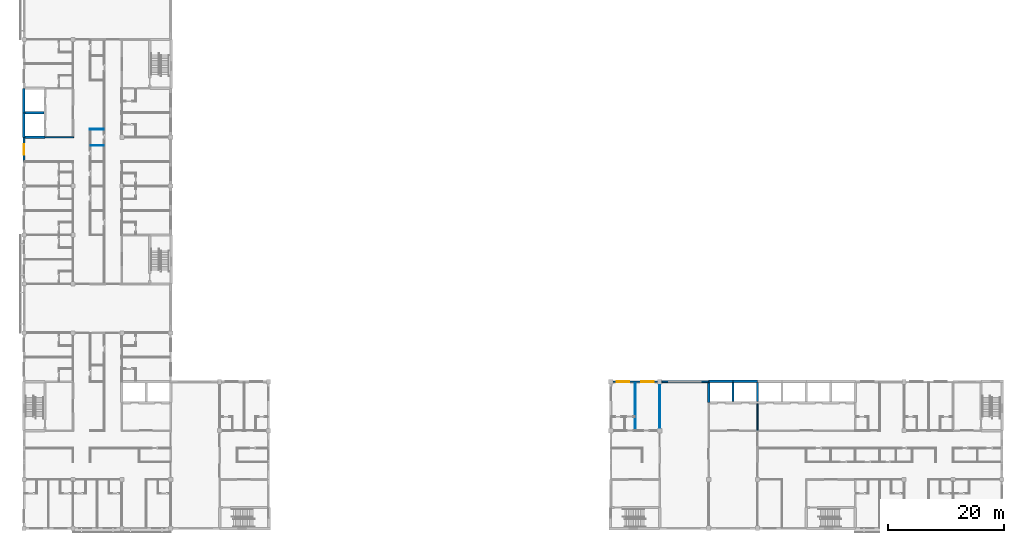
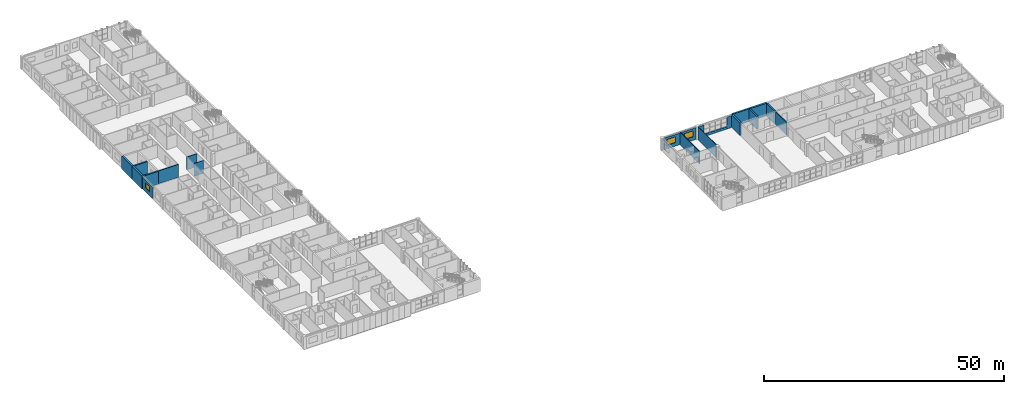
# One storey, part 30 of 45: 21 walls, 3 windows, 3 openings.
"""IFC4 building model written with IfcOpenShell, lengths in metres."""

from ifc_helpers import new_model, si_unit, direction, frame, frame_2d, origin, place, context, subcontext, project, spatial, rectangle, extrude, material, layer, layer_set, type_object, element, fill, save


model = new_model("IFC4")

# Units and contexts
model_context = context("Model", 3, precision=1e-05, world=origin(), true_north=direction((0.0, 1.0)))
body_context = subcontext(model_context, "Body", "Model", "MODEL_VIEW")
ifc_project = project(units=[si_unit("LENGTHUNIT", "METRE"), si_unit("AREAUNIT", "SQUARE_METRE"), si_unit("VOLUMEUNIT", "CUBIC_METRE"), si_unit("PLANEANGLEUNIT", "RADIAN"), si_unit("MASSUNIT", "GRAM", prefix="KILO")], contexts=[model_context])

# Site, building, storey
site_placement = place(None, origin())
site = spatial("IfcSite", under=ifc_project, at=site_placement, CompositionType="ELEMENT")
building_placement = place(site_placement, origin())
building = spatial("IfcBuilding", under=site, at=building_placement, Name="Yavir Park General Hospital", CompositionType="ELEMENT")
storey_placement = place(building_placement, frame((0.0, 0.0, 22.5)))
storey = spatial("IfcBuildingStorey", under=building, at=storey_placement, Name="L05", CompositionType="ELEMENT", Elevation=22.5)

# Walls
ifc_material_1 = material(Name="Double gypsum board fire partition on steel studs", Category="steel")
ifc_layer_1 = layer(ifc_material_1, 0.199951171875)
ifc_layer_set_1 = layer_set([ifc_layer_1], Name="Double gypsum board fire partition on steel studs")
wall_type_1 = type_object("IfcWallType", Name="Fire-rated partition 200, EI 60", PredefinedType="PARTITIONING", material=ifc_layer_set_1)
wall_1_placement = place(storey_placement, frame((3.60009765625, 67.199951171875, 0.0), z_axis=(0.0, 0.0, 1.0), x_axis=(1.0, 0.0, 0.0)))
element("IfcWall", 1, at=wall_1_placement, inside=storey, type_object=wall_type_1, Name="FP20 L05-094", PredefinedType="PARTITIONING", context=body_context, shape_type="SweptSolid", body=[
    extrude(rectangle(XDim=4.89990234375, YDim=0.199951171875, at=frame_2d((2.449951171875, 0.0))), origin(), (0.0, 0.0, 1.0), 3.260009765625),
])
wall_2_placement = place(storey_placement, frame((126.0, 16.89990234375, 0.0), z_axis=(0.0, 0.0, 1.0), x_axis=(0.0, 1.0, 0.0)))
element("IfcWall", 2, at=wall_2_placement, inside=storey, type_object=wall_type_1, Name="FP20 L05-235", PredefinedType="PARTITIONING", context=body_context, shape_type="SweptSolid", body=[
    extrude(rectangle(XDim=4.5, YDim=0.199951171875, at=frame_2d((2.25, 0.0))), origin(), (0.0, 0.0, 1.0), 3.260009765625),
])
ifc_material_2 = material(Name="Gypsum board partition on steel studs", Category="steel")
ifc_layer_2 = layer(ifc_material_2, 0.10009765625)
ifc_layer_set_2 = layer_set([ifc_layer_2], Name="Gypsum board partition on steel studs")
wall_type_2 = type_object("IfcWallType", Name="Gypsum board partition 100", PredefinedType="PARTITIONING", material=ifc_layer_set_2)
wall_3_placement = place(storey_placement, frame((11.47509765625, 65.800048828125, 0.0), z_axis=(0.0, 0.0, 1.0), x_axis=(1.0, 0.0, 0.0)))
element("IfcWall", 3, at=wall_3_placement, inside=storey, type_object=wall_type_2, Name="P10 L05-092", PredefinedType="PARTITIONING", context=body_context, shape_type="SweptSolid", body=[
    extrude(rectangle(XDim=2.25, YDim=0.10009765625, at=frame_2d((1.125, 0.0))), origin(), (0.0, 0.0, 1.0), 3.260009765625),
])
ifc_material_3 = material(Name="Gypsum board partition on steel studs", Category="steel")
ifc_layer_3 = layer(ifc_material_3, 0.14990234375)
ifc_layer_set_3 = layer_set([ifc_layer_3], Name="Gypsum board partition on steel studs")
wall_type_3 = type_object("IfcWallType", Name="Gypsum board partition 150", PredefinedType="PARTITIONING", material=ifc_layer_set_3)
wall_4_placement = place(storey_placement, frame((11.324951171875, 68.60009765625, 0.0), z_axis=(0.0, 0.0, 1.0), x_axis=(1.0, 0.0, 0.0)))
element("IfcWall", 4, at=wall_4_placement, inside=storey, type_object=wall_type_3, Name="P15 L05-096", PredefinedType="PARTITIONING", context=body_context, shape_type="SweptSolid", body=[
    extrude(rectangle(XDim=2.400146484375, YDim=0.14990234375, at=frame_2d((1.2001953125, 0.0))), origin(), (0.0, 0.0, 1.0), 3.260009765625),
])
wall_5_placement = place(storey_placement, frame((105.0, 16.875, 0.0), z_axis=(0.0, 0.0, 1.0), x_axis=(0.0, 1.0, 0.0)))
element("IfcWall", 5, at=wall_5_placement, inside=storey, type_object=wall_type_3, Name="P15 L05-224", PredefinedType="PARTITIONING", context=body_context, shape_type="SweptSolid", body=[
    extrude(rectangle(XDim=8.175048828125, YDim=0.14990234375, at=frame_2d((4.08740234375, 0.0))), origin(), (0.0, 0.0, 1.0), 3.260009765625),
])
wall_6_placement = place(storey_placement, frame((109.199951171875, 17.175048828125, 0.0), z_axis=(0.0, 0.0, 1.0), x_axis=(0.0, 1.0, 0.0)))
element("IfcWall", 6, at=wall_6_placement, inside=storey, type_object=wall_type_3, Name="P15 L05-228", PredefinedType="PARTITIONING", context=body_context, shape_type="SweptSolid", body=[
    extrude(rectangle(XDim=7.64990234375, YDim=0.14990234375, at=frame_2d((3.824951171875, 0.0))), origin(), (0.0, 0.0, 1.0), 3.260009765625),
])

# Wall, opening, window
ifc_material_4 = material(Name="Autoclaved aerated block, mineral wool and ochre mineral render")
ifc_layer_4 = layer(ifc_material_4, 0.300048828125)
ifc_layer_set_4 = layer_set([ifc_layer_4], Name="Autoclaved aerated block, mineral wool and ochre mineral render")
wall_type_4 = type_object("IfcWallType", Name="Ochre render ward wall 300, E 30", PredefinedType="SOLIDWALL", material=ifc_layer_set_4)
wall_7_placement = place(storey_placement, frame((101.175048828125, 25.199951171875, 0.0), z_axis=(0.0, 0.0, 1.0), x_axis=(1.0, 0.0, 0.0)))
wall_7 = element("IfcWall", 7, at=wall_7_placement, inside=storey, type_object=wall_type_4, Name="XW7 L05-037", PredefinedType="SOLIDWALL", context=body_context, shape_type="SweptSolid", body=[
    extrude(rectangle(XDim=3.824951171875, YDim=0.300048828125, at=frame_2d((1.91259765625, 0.0))), origin(), (0.0, 0.0, 1.0), 2.9599609375),
])
opening_1_placement = place(wall_7_placement, frame((0.675048828125, 0.0, 0.89990234375)))
opening_1 = element("IfcOpeningElement", 8, at=opening_1_placement, cuts=wall_7, Name="Opening WAR", PredefinedType="OPENING", context=body_context, shape_type="SweptSolid", body=[
    extrude(rectangle(XDim=2.10009765625, YDim=1.5, at=frame_2d((1.050048828125, 0.75))), frame((0.0, 0.159912109375, 0.0), z_axis=(0.0, -1.0, 0.0), x_axis=(1.0, 0.0, 0.0)), (0.0, 0.0, 1.0), 0.320068359375),
])
ifc_material_5 = material(Name="Aluminium frame, tilt-and-turn sash with opening restrictor, double glazed unit", Category="aluminium")
window_type_1 = type_object("IfcWindowType", Name="Ward window, restricted opening 2100 x 1500", PartitioningType="DOUBLE_PANEL_VERTICAL", PredefinedType="WINDOW", material=ifc_material_5)
window_1_placement = place(opening_1_placement, origin())
window_1 = element("IfcWindow", 9, at=window_1_placement, inside=storey, type_object=window_type_1, Name="WAR L05-014", OverallHeight=1.5, OverallWidth=2.10009765625, PartitioningType="DOUBLE_PANEL_VERTICAL", PredefinedType="WINDOW", context=body_context, shape_type="SweptSolid", body=[
    extrude(rectangle(XDim=2.10009765625, YDim=1.5, at=frame_2d((1.050048828125, 0.75))), frame((0.0, 0.050048828125, 0.0), z_axis=(0.0, -1.0, 0.0), x_axis=(1.0, 0.0, 0.0)), (0.0, 0.0, 1.0), 0.10009765625),
])
fill(opening_1, window_1)

wall_8_placement = place(storey_placement, frame((105.0, 25.199951171875, 0.0), z_axis=(0.0, 0.0, 1.0), x_axis=(1.0, 0.0, 0.0)))
wall_8 = element("IfcWall", 10, at=wall_8_placement, inside=storey, type_object=wall_type_4, Name="XW7 L05-038", PredefinedType="SOLIDWALL", context=body_context, shape_type="SweptSolid", body=[
    extrude(rectangle(XDim=3.824951171875, YDim=0.300048828125, at=frame_2d((1.91259765625, 0.0))), origin(), (0.0, 0.0, 1.0), 2.9599609375),
])
opening_2_placement = place(wall_8_placement, frame((1.050048828125, 0.0, 0.89990234375)))
opening_2 = element("IfcOpeningElement", 11, at=opening_2_placement, cuts=wall_8, Name="Opening WAR", PredefinedType="OPENING", context=body_context, shape_type="SweptSolid", body=[
    extrude(rectangle(XDim=2.10009765625, YDim=1.5, at=frame_2d((1.050048828125, 0.75))), frame((0.0, 0.159912109375, 0.0), z_axis=(0.0, -1.0, 0.0), x_axis=(1.0, 0.0, 0.0)), (0.0, 0.0, 1.0), 0.320068359375),
])
window_2_placement = place(opening_2_placement, origin())
window_2 = element("IfcWindow", 12, at=window_2_placement, inside=storey, type_object=window_type_1, Name="WAR L05-015", OverallHeight=1.5, OverallWidth=2.10009765625, PartitioningType="DOUBLE_PANEL_VERTICAL", PredefinedType="WINDOW", context=body_context, shape_type="SweptSolid", body=[
    extrude(rectangle(XDim=2.10009765625, YDim=1.5, at=frame_2d((1.050048828125, 0.75))), frame((0.0, 0.050048828125, 0.0), z_axis=(0.0, -1.0, 0.0), x_axis=(1.0, 0.0, 0.0)), (0.0, 0.0, 1.0), 0.10009765625),
])
fill(opening_2, window_2)

# Walls
wall_9_placement = place(storey_placement, frame((109.574951171875, 25.199951171875, 0.0), z_axis=(0.0, 0.0, 1.0), x_axis=(1.0, 0.0, 0.0)))
element("IfcWall", 13, at=wall_9_placement, inside=storey, type_object=wall_type_4, Name="XW7 L05-039", PredefinedType="SOLIDWALL", context=body_context, shape_type="SweptSolid", body=[
    extrude(rectangle(XDim=1.125, YDim=0.300048828125, at=frame_2d((0.5625, 0.0))), origin(), (0.0, 0.0, 1.0), 2.9599609375),
])
wall_10_placement = place(storey_placement, frame((116.300048828125, 25.199951171875, 0.0), z_axis=(0.0, 0.0, 1.0), x_axis=(1.0, 0.0, 0.0)))
element("IfcWall", 14, at=wall_10_placement, inside=storey, type_object=wall_type_4, Name="XW7 L05-040", PredefinedType="SOLIDWALL", context=body_context, shape_type="SweptSolid", body=[
    extrude(rectangle(XDim=1.300048828125, YDim=0.300048828125, at=frame_2d((0.64990234375, 0.0))), origin(), (0.0, 0.0, 1.0), 2.9599609375),
])
wall_11_placement = place(storey_placement, frame((110.699951171875, 25.199951171875, 0.0), z_axis=(0.0, 0.0, 1.0), x_axis=(1.0, 0.0, 0.0)))
element("IfcWall", 15, at=wall_11_placement, inside=storey, type_object=wall_type_4, Name="XW7 L05-041", PredefinedType="SOLIDWALL", context=body_context, shape_type="SweptSolid", body=[
    extrude(rectangle(XDim=5.60009765625, YDim=0.300048828125, at=frame_2d((2.800048828125, 0.0))), origin(), (0.0, 0.0, 1.0), 0.60009765625),
])

# Wall, opening, window
wall_12_placement = place(storey_placement, frame((0.0, 63.0, 0.0), z_axis=(0.0, 0.0, 1.0), x_axis=(0.0, 1.0, 0.0)))
wall_12 = element("IfcWall", 16, at=wall_12_placement, inside=storey, type_object=wall_type_4, Name="XW7 L05-086", PredefinedType="SOLIDWALL", context=body_context, shape_type="SweptSolid", body=[
    extrude(rectangle(XDim=4.199951171875, YDim=0.300048828125, at=frame_2d((2.10009765625, 0.0))), origin(), (0.0, 0.0, 1.0), 2.9599609375),
])
opening_3_placement = place(wall_12_placement, frame((1.199951171875, 0.0, 1.050048828125)))
opening_3 = element("IfcOpeningElement", 17, at=opening_3_placement, cuts=wall_12, Name="Opening WQ", PredefinedType="OPENING", context=body_context, shape_type="SweptSolid", body=[
    extrude(rectangle(XDim=1.800048828125, YDim=1.199951171875, at=frame_2d((0.89990234375, 0.60009765625))), frame((0.0, 0.159912109375, 0.0), z_axis=(0.0, -1.0, 0.0), x_axis=(1.0, 0.0, 0.0)), (0.0, 0.0, 1.0), 0.320068359375),
])
ifc_material_6 = material(Name="Aluminium frame, double glazed unit", Category="aluminium")
window_type_2 = type_object("IfcWindowType", Name="Dining room window 1800 x 1200", PartitioningType="DOUBLE_PANEL_VERTICAL", PredefinedType="WINDOW", material=ifc_material_6)
window_3_placement = place(opening_3_placement, origin())
window_3 = element("IfcWindow", 18, at=window_3_placement, inside=storey, type_object=window_type_2, Name="WQ L05-035", OverallHeight=1.199951171875, OverallWidth=1.800048828125, PartitioningType="DOUBLE_PANEL_VERTICAL", PredefinedType="WINDOW", context=body_context, shape_type="SweptSolid", body=[
    extrude(rectangle(XDim=1.800048828125, YDim=1.199951171875, at=frame_2d((0.89990234375, 0.60009765625))), frame((0.0, 0.030029296875, 0.0), z_axis=(0.0, -1.0, 0.0), x_axis=(1.0, 0.0, 0.0)), (0.0, 0.0, 1.0), 0.06005859375),
])
fill(opening_3, window_3)

# Walls
ifc_material_7 = material(Name="Concrete C35/45", Category="concrete")
ifc_layer_5 = layer(ifc_material_7, 0.39990234375)
ifc_layer_set_5 = layer_set([ifc_layer_5], Name="Concrete C35/45")
wall_type_5 = type_object("IfcWallType", Name="Reinforced concrete core wall 400, REI 150", PredefinedType="SHEAR", material=ifc_layer_set_5)
wall_13_placement = place(storey_placement, frame((0.14990234375, 67.199951171875, 0.0), z_axis=(0.0, 0.0, 1.0), x_axis=(1.0, 0.0, 0.0)))
element("IfcWall", 19, at=wall_13_placement, inside=storey, type_object=wall_type_5, Name="CW40 L05-093", PredefinedType="SHEAR", context=body_context, shape_type="SweptSolid", body=[
    extrude(rectangle(XDim=3.4501953125, YDim=0.39990234375, at=frame_2d((1.72509765625, 0.0))), origin(), (0.0, 0.0, 1.0), 3.260009765625),
])
wall_14_placement = place(storey_placement, frame((0.14990234375, 71.39990234375, 0.0), z_axis=(0.0, 0.0, 1.0), x_axis=(1.0, 0.0, 0.0)))
element("IfcWall", 20, at=wall_14_placement, inside=storey, type_object=wall_type_5, Name="CW40 L05-098", PredefinedType="SHEAR", context=body_context, shape_type="SweptSolid", body=[
    extrude(rectangle(XDim=3.25, YDim=0.39990234375, at=frame_2d((1.625, 0.0))), origin(), (0.0, 0.0, 1.0), 3.260009765625),
])
wall_15_placement = place(storey_placement, frame((117.60009765625, 21.60009765625, 0.0), z_axis=(0.0, 0.0, 1.0), x_axis=(0.0, 1.0, 0.0)))
element("IfcWall", 21, at=wall_15_placement, inside=storey, type_object=wall_type_5, Name="CW40 L05-231", PredefinedType="SHEAR", context=body_context, shape_type="SweptSolid", body=[
    extrude(rectangle(XDim=3.449951171875, YDim=0.39990234375, at=frame_2d((1.72509765625, 0.0))), origin(), (0.0, 0.0, 1.0), 3.260009765625),
])
for number, where, z_axis, x_axis, name in (
    (22, (121.800048828125, 21.800048828125, 0.0), (0.0, 0.0, 1.0), (0.0, 1.0, 0.0), "CW40 L05-232"),
    (23, (126.0, 21.800048828125, 0.0), (0.0, 0.0, 1.0), (0.0, 1.0, 0.0), "CW40 L05-236"),
):
    element("IfcWall", number, at=place(storey_placement, frame(where, z_axis=z_axis, x_axis=x_axis)), inside=storey, type_object=wall_type_5, Name=name, PredefinedType="SHEAR", context=body_context, shape_type="SweptSolid", body=[
        extrude(rectangle(XDim=3.25, YDim=0.39990234375, at=frame_2d((1.625, 0.0))), origin(), (0.0, 0.0, 1.0), 3.260009765625),
    ])
ifc_material_8 = material(Name="Concrete C30/37 precast panel with 150 mm mineral wool insulation", Category="concrete")
ifc_layer_6 = layer(ifc_material_8, 0.449951171875)
ifc_layer_set_6 = layer_set([ifc_layer_6], Name="Concrete C30/37 precast panel with 150 mm mineral wool insulation")
wall_type_6 = type_object("IfcWallType", Name="Stair enclosure wall 450, REI 150", PredefinedType="SOLIDWALL", material=ifc_layer_set_6)
for number, where, z_axis, x_axis, name in (
    (24, (117.60009765625, 25.27490234375, 0.0), (0.0, 0.0, 1.0), (1.0, 0.0, 0.0), "XW6 L05-042"),
    (25, (121.800048828125, 25.27490234375, 0.0), (0.0, 0.0, 1.0), (1.0, 0.0, 0.0), "XW6 L05-043"),
    (26, (-0.074951171875, 67.199951171875, 0.0), (0.0, 0.0, 1.0), (0.0, 1.0, 0.0), "XW6 L05-087"),
):
    element("IfcWall", number, at=place(storey_placement, frame(where, z_axis=z_axis, x_axis=x_axis)), inside=storey, type_object=wall_type_6, Name=name, PredefinedType="SOLIDWALL", context=body_context, shape_type="SweptSolid", body=[
        extrude(rectangle(XDim=4.199951171875, YDim=0.449951171875, at=frame_2d((2.10009765625, 0.0))), origin(), (0.0, 0.0, 1.0), 3.260009765625),
    ])
wall_16_placement = place(storey_placement, frame((-0.074951171875, 71.39990234375, 0.0), z_axis=(0.0, 0.0, 1.0), x_axis=(0.0, 1.0, 0.0)))
element("IfcWall", 27, at=wall_16_placement, inside=storey, type_object=wall_type_6, Name="XW6 L05-088", PredefinedType="SOLIDWALL", context=body_context, shape_type="SweptSolid", body=[
    extrude(rectangle(XDim=4.2001953125, YDim=0.449951171875, at=frame_2d((2.10009765625, 0.0))), origin(), (0.0, 0.0, 1.0), 3.260009765625),
])

save(model, "model.ifc")
